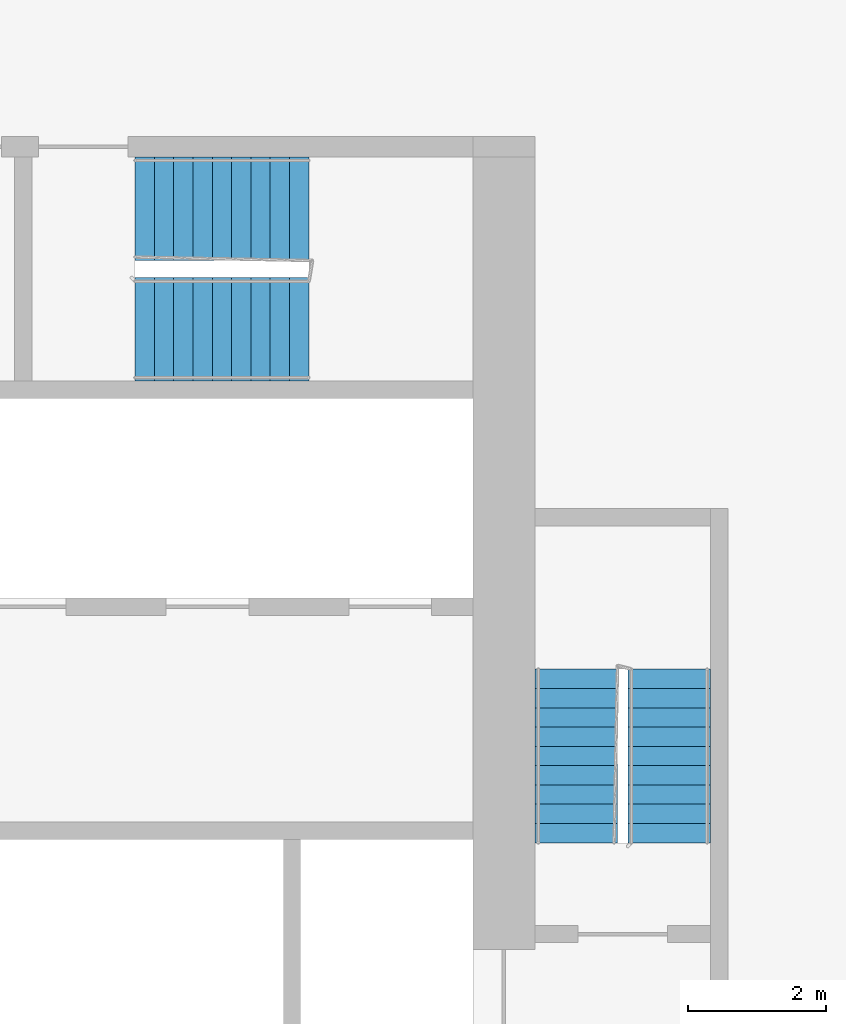
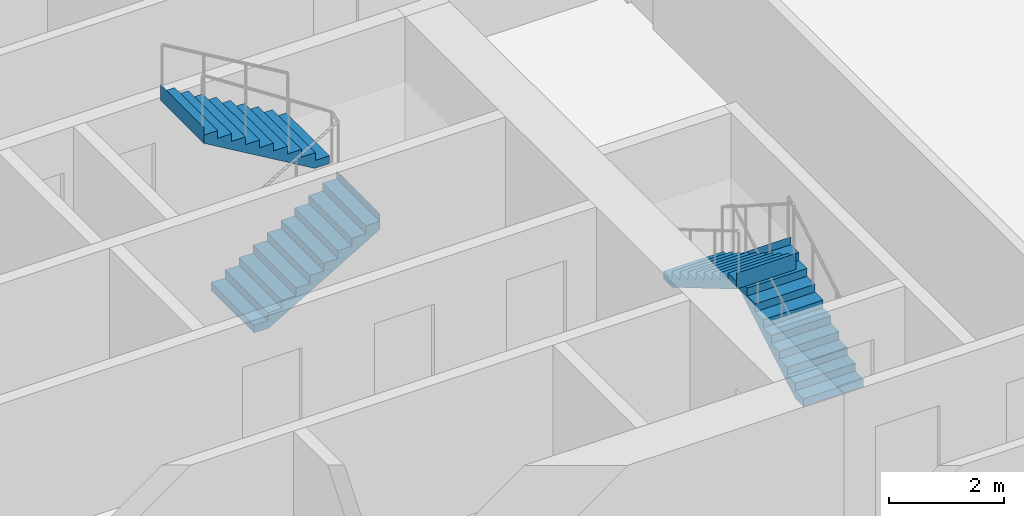
# One storey, part 11 of 13: 4 stair flights, 2 elements without a shape of their own.
"""IFC4 building model written with IfcOpenShell, lengths in metres."""

from ifc_helpers import new_model, si_unit, direction, frame, origin, place, context, subcontext, project, spatial, faceted_brep, material, type_object, element, aggregate, save


model = new_model("IFC4")

# Units and contexts
model_context = context("Model", 3, precision=1e-05, world=origin(), true_north=direction((0.0, 1.0)))
body_context = subcontext(model_context, "Body", "Model", "MODEL_VIEW")
ifc_project = project(units=[si_unit("LENGTHUNIT", "METRE"), si_unit("AREAUNIT", "SQUARE_METRE"), si_unit("VOLUMEUNIT", "CUBIC_METRE"), si_unit("PLANEANGLEUNIT", "RADIAN"), si_unit("MASSUNIT", "GRAM", prefix="KILO")], contexts=[model_context])

# Site, building, storey
site_placement = place(None, origin())
site = spatial("IfcSite", under=ifc_project, at=site_placement, CompositionType="ELEMENT")
building_placement = place(site_placement, origin())
building = spatial("IfcBuilding", under=site, at=building_placement, Name="Kajstack Hotel Tower", CompositionType="ELEMENT")
storey_placement = place(building_placement, frame((0.0, 0.0, 79.800048828125)))
storey = spatial("IfcBuildingStorey", under=building, at=storey_placement, Name="L15", CompositionType="ELEMENT", Elevation=79.800048828125)

# Stair, stair flights
ifc_material = material(Name="Concrete C40/50", Category="concrete")
stair_type_1 = type_object("IfcStairType", Name="Exit stair 1200", PredefinedType="HALF_TURN_STAIR", material=ifc_material)
stair_1_placement = place(storey_placement, origin())
stair_1 = element("IfcStair", 1, at=stair_1_placement, inside=storey, type_object=stair_type_1, Name="L15 stair E1", PredefinedType="HALF_TURN_STAIR")
stair_flight_type_1 = type_object("IfcStairFlightType", Name="Exit stair flight 1200", PredefinedType="STRAIGHT", material=ifc_material)
stair_flight_1_placement = place(storey_placement, frame((33.449951171875, 5.25, 0.0), z_axis=(0.0, 0.0, 1.0), x_axis=(0.0, 1.0, 0.0)))
stair_flight_1 = element("IfcStairFlight", 2, at=stair_flight_1_placement, type_object=stair_flight_type_1, Name="E1 flight 1", NumberOfRisers=10, NumberOfTreads=9, PredefinedType="STRAIGHT", RiserHeight=0.165, TreadLength=0.28, context=body_context, shape_type="Brep", body=[
    faceted_brep([(0.295654296875, -0.60009765625, 0.0), (2.5205078125, -0.60009765625, 1.31103515625), (2.5205078125, -0.60009765625, 1.64990234375), (2.52001953125, -0.60009765625, 1.64990234375), (2.52001953125, -0.60009765625, 1.485107421875), (2.239990234375, -0.60009765625, 1.485107421875), (2.239990234375, -0.60009765625, 1.320068359375), (1.9599609375, -0.60009765625, 1.320068359375), (1.9599609375, -0.60009765625, 1.155029296875), (1.679931640625, -0.60009765625, 1.155029296875), (1.679931640625, -0.60009765625, 0.989990234375), (1.39990234375, -0.60009765625, 0.989990234375), (1.39990234375, -0.60009765625, 0.824951171875), (1.1201171875, -0.60009765625, 0.824951171875), (1.1201171875, -0.60009765625, 0.659912109375), (0.840087890625, -0.60009765625, 0.659912109375), (0.840087890625, -0.60009765625, 0.4951171875), (0.56005859375, -0.60009765625, 0.4951171875), (0.56005859375, -0.60009765625, 0.330078125), (0.280029296875, -0.60009765625, 0.330078125), (0.280029296875, -0.60009765625, 0.1650390625), (-0.00048828125, -0.60009765625, 0.1650390625), (-0.00048828125, -0.60009765625, 0.0), (-0.00048828125, 0.60009765625, 0.0), (-0.00048828125, 0.60009765625, 0.1650390625), (0.280029296875, 0.60009765625, 0.1650390625), (0.280029296875, 0.60009765625, 0.330078125), (0.56005859375, 0.60009765625, 0.330078125), (0.56005859375, 0.60009765625, 0.4951171875), (0.840087890625, 0.60009765625, 0.4951171875), (0.840087890625, 0.60009765625, 0.659912109375), (1.1201171875, 0.60009765625, 0.659912109375), (1.1201171875, 0.60009765625, 0.824951171875), (1.39990234375, 0.60009765625, 0.824951171875), (1.39990234375, 0.60009765625, 0.989990234375), (1.679931640625, 0.60009765625, 0.989990234375), (1.679931640625, 0.60009765625, 1.155029296875), (1.9599609375, 0.60009765625, 1.155029296875), (1.9599609375, 0.60009765625, 1.320068359375), (2.239990234375, 0.60009765625, 1.320068359375), (2.239990234375, 0.60009765625, 1.485107421875), (2.52001953125, 0.60009765625, 1.485107421875), (2.52001953125, 0.60009765625, 1.64990234375), (2.5205078125, 0.60009765625, 1.64990234375), (2.5205078125, 0.60009765625, 1.31103515625), (0.295654296875, 0.60009765625, 0.0), (-0.00048828125, -0.300048828125, 0.1650390625), (-0.00048828125, 0.0, 0.1650390625), (-0.00048828125, 0.300048828125, 0.1650390625), (-0.00048828125, 0.300048828125, 0.0), (-0.00048828125, 0.0, 0.0), (-0.00048828125, -0.300048828125, 0.0), (0.280029296875, -0.300048828125, 0.1650390625), (0.280029296875, 0.0, 0.1650390625), (0.280029296875, 0.300048828125, 0.1650390625), (0.280029296875, -0.300048828125, 0.330078125), (0.280029296875, 0.0, 0.330078125), (0.280029296875, 0.300048828125, 0.330078125), (0.56005859375, -0.300048828125, 0.330078125), (0.56005859375, 0.0, 0.330078125), (0.56005859375, 0.300048828125, 0.330078125), (0.56005859375, -0.300048828125, 0.4951171875), (0.56005859375, 0.0, 0.4951171875), (0.56005859375, 0.300048828125, 0.4951171875), (0.840087890625, -0.300048828125, 0.4951171875), (0.840087890625, 0.0, 0.4951171875), (0.840087890625, 0.300048828125, 0.4951171875), (0.840087890625, -0.300048828125, 0.659912109375), (0.840087890625, 0.0, 0.659912109375), (0.840087890625, 0.300048828125, 0.659912109375), (1.1201171875, -0.300048828125, 0.659912109375), (1.1201171875, 0.0, 0.659912109375), (1.1201171875, 0.300048828125, 0.659912109375), (1.1201171875, -0.300048828125, 0.824951171875), (1.1201171875, 0.0, 0.824951171875), (1.1201171875, 0.300048828125, 0.824951171875), (1.39990234375, -0.300048828125, 0.824951171875), (1.39990234375, 0.0, 0.824951171875), (1.39990234375, 0.300048828125, 0.824951171875), (1.39990234375, -0.300048828125, 0.989990234375), (1.39990234375, 0.0, 0.989990234375), (1.39990234375, 0.300048828125, 0.989990234375), (1.679931640625, -0.300048828125, 0.989990234375), (1.679931640625, 0.0, 0.989990234375), (1.679931640625, 0.300048828125, 0.989990234375), (1.679931640625, -0.300048828125, 1.155029296875), (1.679931640625, 0.0, 1.155029296875), (1.679931640625, 0.300048828125, 1.155029296875), (1.9599609375, -0.300048828125, 1.155029296875), (1.9599609375, 0.0, 1.155029296875), (1.9599609375, 0.300048828125, 1.155029296875), (1.9599609375, -0.300048828125, 1.320068359375), (1.9599609375, 0.0, 1.320068359375), (1.9599609375, 0.300048828125, 1.320068359375), (2.239990234375, -0.300048828125, 1.320068359375), (2.239990234375, 0.0, 1.320068359375), (2.239990234375, 0.300048828125, 1.320068359375), (2.239990234375, -0.300048828125, 1.485107421875), (2.239990234375, 0.0, 1.485107421875), (2.239990234375, 0.300048828125, 1.485107421875), (2.52001953125, -0.300048828125, 1.485107421875), (2.52001953125, 0.0, 1.485107421875), (2.52001953125, 0.300048828125, 1.485107421875), (2.52001953125, -0.300048828125, 1.64990234375), (2.52001953125, 0.0, 1.64990234375), (2.52001953125, 0.300048828125, 1.64990234375), (2.5205078125, -0.300048828125, 1.64990234375), (2.5205078125, 0.0, 1.64990234375), (2.5205078125, 0.300048828125, 1.64990234375), (2.5205078125, -0.300048828125, 1.31103515625), (2.5205078125, 0.0, 1.31103515625), (2.5205078125, 0.300048828125, 1.31103515625), (0.295654296875, -0.300048828125, 0.0), (0.295654296875, 0.0, 0.0), (0.295654296875, 0.300048828125, 0.0)], [[[0, 1, 2, 3, 4, 5, 6, 7, 8, 9, 10, 11, 12, 13, 14, 15, 16, 17, 18, 19, 20, 21, 22]], [[23, 24, 25, 26, 27, 28, 29, 30, 31, 32, 33, 34, 35, 36, 37, 38, 39, 40, 41, 42, 43, 44, 45]], [[21, 46, 47, 48, 24, 23, 49, 50, 51, 22]], [[20, 52, 53, 54, 25, 24, 48, 47, 46, 21]], [[19, 55, 56, 57, 26, 25, 54, 53, 52, 20]], [[18, 58, 59, 60, 27, 26, 57, 56, 55, 19]], [[17, 61, 62, 63, 28, 27, 60, 59, 58, 18]], [[16, 64, 65, 66, 29, 28, 63, 62, 61, 17]], [[15, 67, 68, 69, 30, 29, 66, 65, 64, 16]], [[14, 70, 71, 72, 31, 30, 69, 68, 67, 15]], [[13, 73, 74, 75, 32, 31, 72, 71, 70, 14]], [[12, 76, 77, 78, 33, 32, 75, 74, 73, 13]], [[11, 79, 80, 81, 34, 33, 78, 77, 76, 12]], [[10, 82, 83, 84, 35, 34, 81, 80, 79, 11]], [[9, 85, 86, 87, 36, 35, 84, 83, 82, 10]], [[8, 88, 89, 90, 37, 36, 87, 86, 85, 9]], [[7, 91, 92, 93, 38, 37, 90, 89, 88, 8]], [[6, 94, 95, 96, 39, 38, 93, 92, 91, 7]], [[5, 97, 98, 99, 40, 39, 96, 95, 94, 6]], [[4, 100, 101, 102, 41, 40, 99, 98, 97, 5]], [[3, 103, 104, 105, 42, 41, 102, 101, 100, 4]], [[2, 106, 107, 108, 43, 42, 105, 104, 103, 3]], [[1, 109, 110, 111, 44, 43, 108, 107, 106, 2]], [[0, 112, 113, 114, 45, 44, 111, 110, 109, 1]], [[22, 51, 50, 49, 23, 45, 114, 113, 112, 0]]]),
])
stair_flight_2_placement = place(storey_placement, frame((32.10009765625, 7.77001953125, 1.64990234375), z_axis=(0.0, 0.0, 1.0), x_axis=(0.0, -1.0, 0.0)))
stair_flight_2 = element("IfcStairFlight", 3, at=stair_flight_2_placement, type_object=stair_flight_type_1, Name="E1 flight 2", NumberOfRisers=10, NumberOfTreads=9, PredefinedType="STRAIGHT", RiserHeight=0.165, TreadLength=0.28, context=body_context, shape_type="Brep", body=[
    faceted_brep([(0.295654296875, -0.60009765625, 0.0), (2.5205078125, -0.60009765625, 1.31103515625), (2.5205078125, -0.60009765625, 1.64990234375), (2.52001953125, -0.60009765625, 1.64990234375), (2.52001953125, -0.60009765625, 1.485107421875), (2.239990234375, -0.60009765625, 1.485107421875), (2.239990234375, -0.60009765625, 1.320068359375), (1.9599609375, -0.60009765625, 1.320068359375), (1.9599609375, -0.60009765625, 1.155029296875), (1.679931640625, -0.60009765625, 1.155029296875), (1.679931640625, -0.60009765625, 0.989990234375), (1.39990234375, -0.60009765625, 0.989990234375), (1.39990234375, -0.60009765625, 0.824951171875), (1.1201171875, -0.60009765625, 0.824951171875), (1.1201171875, -0.60009765625, 0.659912109375), (0.840087890625, -0.60009765625, 0.659912109375), (0.840087890625, -0.60009765625, 0.4951171875), (0.56005859375, -0.60009765625, 0.4951171875), (0.56005859375, -0.60009765625, 0.330078125), (0.280029296875, -0.60009765625, 0.330078125), (0.280029296875, -0.60009765625, 0.1650390625), (-0.00048828125, -0.60009765625, 0.1650390625), (-0.00048828125, -0.60009765625, 0.0), (-0.00048828125, 0.60009765625, 0.0), (-0.00048828125, 0.60009765625, 0.1650390625), (0.280029296875, 0.60009765625, 0.1650390625), (0.280029296875, 0.60009765625, 0.330078125), (0.56005859375, 0.60009765625, 0.330078125), (0.56005859375, 0.60009765625, 0.4951171875), (0.840087890625, 0.60009765625, 0.4951171875), (0.840087890625, 0.60009765625, 0.659912109375), (1.1201171875, 0.60009765625, 0.659912109375), (1.1201171875, 0.60009765625, 0.824951171875), (1.39990234375, 0.60009765625, 0.824951171875), (1.39990234375, 0.60009765625, 0.989990234375), (1.679931640625, 0.60009765625, 0.989990234375), (1.679931640625, 0.60009765625, 1.155029296875), (1.9599609375, 0.60009765625, 1.155029296875), (1.9599609375, 0.60009765625, 1.320068359375), (2.239990234375, 0.60009765625, 1.320068359375), (2.239990234375, 0.60009765625, 1.485107421875), (2.52001953125, 0.60009765625, 1.485107421875), (2.52001953125, 0.60009765625, 1.64990234375), (2.5205078125, 0.60009765625, 1.64990234375), (2.5205078125, 0.60009765625, 1.31103515625), (0.295654296875, 0.60009765625, 0.0), (-0.00048828125, -0.300048828125, 0.1650390625), (-0.00048828125, 0.0, 0.1650390625), (-0.00048828125, 0.300048828125, 0.1650390625), (-0.00048828125, 0.300048828125, 0.0), (-0.00048828125, 0.0, 0.0), (-0.00048828125, -0.300048828125, 0.0), (0.280029296875, -0.300048828125, 0.1650390625), (0.280029296875, 0.0, 0.1650390625), (0.280029296875, 0.300048828125, 0.1650390625), (0.280029296875, -0.300048828125, 0.330078125), (0.280029296875, 0.0, 0.330078125), (0.280029296875, 0.300048828125, 0.330078125), (0.56005859375, -0.300048828125, 0.330078125), (0.56005859375, 0.0, 0.330078125), (0.56005859375, 0.300048828125, 0.330078125), (0.56005859375, -0.300048828125, 0.4951171875), (0.56005859375, 0.0, 0.4951171875), (0.56005859375, 0.300048828125, 0.4951171875), (0.840087890625, -0.300048828125, 0.4951171875), (0.840087890625, 0.0, 0.4951171875), (0.840087890625, 0.300048828125, 0.4951171875), (0.840087890625, -0.300048828125, 0.659912109375), (0.840087890625, 0.0, 0.659912109375), (0.840087890625, 0.300048828125, 0.659912109375), (1.1201171875, -0.300048828125, 0.659912109375), (1.1201171875, 0.0, 0.659912109375), (1.1201171875, 0.300048828125, 0.659912109375), (1.1201171875, -0.300048828125, 0.824951171875), (1.1201171875, 0.0, 0.824951171875), (1.1201171875, 0.300048828125, 0.824951171875), (1.39990234375, -0.300048828125, 0.824951171875), (1.39990234375, 0.0, 0.824951171875), (1.39990234375, 0.300048828125, 0.824951171875), (1.39990234375, -0.300048828125, 0.989990234375), (1.39990234375, 0.0, 0.989990234375), (1.39990234375, 0.300048828125, 0.989990234375), (1.679931640625, -0.300048828125, 0.989990234375), (1.679931640625, 0.0, 0.989990234375), (1.679931640625, 0.300048828125, 0.989990234375), (1.679931640625, -0.300048828125, 1.155029296875), (1.679931640625, 0.0, 1.155029296875), (1.679931640625, 0.300048828125, 1.155029296875), (1.9599609375, -0.300048828125, 1.155029296875), (1.9599609375, 0.0, 1.155029296875), (1.9599609375, 0.300048828125, 1.155029296875), (1.9599609375, -0.300048828125, 1.320068359375), (1.9599609375, 0.0, 1.320068359375), (1.9599609375, 0.300048828125, 1.320068359375), (2.239990234375, -0.300048828125, 1.320068359375), (2.239990234375, 0.0, 1.320068359375), (2.239990234375, 0.300048828125, 1.320068359375), (2.239990234375, -0.300048828125, 1.485107421875), (2.239990234375, 0.0, 1.485107421875), (2.239990234375, 0.300048828125, 1.485107421875), (2.52001953125, -0.300048828125, 1.485107421875), (2.52001953125, 0.0, 1.485107421875), (2.52001953125, 0.300048828125, 1.485107421875), (2.52001953125, -0.300048828125, 1.64990234375), (2.52001953125, 0.0, 1.64990234375), (2.52001953125, 0.300048828125, 1.64990234375), (2.5205078125, -0.300048828125, 1.64990234375), (2.5205078125, 0.0, 1.64990234375), (2.5205078125, 0.300048828125, 1.64990234375), (2.5205078125, -0.300048828125, 1.31103515625), (2.5205078125, 0.0, 1.31103515625), (2.5205078125, 0.300048828125, 1.31103515625), (0.295654296875, -0.300048828125, 0.0), (0.295654296875, 0.0, 0.0), (0.295654296875, 0.300048828125, 0.0)], [[[0, 1, 2, 3, 4, 5, 6, 7, 8, 9, 10, 11, 12, 13, 14, 15, 16, 17, 18, 19, 20, 21, 22]], [[23, 24, 25, 26, 27, 28, 29, 30, 31, 32, 33, 34, 35, 36, 37, 38, 39, 40, 41, 42, 43, 44, 45]], [[21, 46, 47, 48, 24, 23, 49, 50, 51, 22]], [[20, 52, 53, 54, 25, 24, 48, 47, 46, 21]], [[19, 55, 56, 57, 26, 25, 54, 53, 52, 20]], [[18, 58, 59, 60, 27, 26, 57, 56, 55, 19]], [[17, 61, 62, 63, 28, 27, 60, 59, 58, 18]], [[16, 64, 65, 66, 29, 28, 63, 62, 61, 17]], [[15, 67, 68, 69, 30, 29, 66, 65, 64, 16]], [[14, 70, 71, 72, 31, 30, 69, 68, 67, 15]], [[13, 73, 74, 75, 32, 31, 72, 71, 70, 14]], [[12, 76, 77, 78, 33, 32, 75, 74, 73, 13]], [[11, 79, 80, 81, 34, 33, 78, 77, 76, 12]], [[10, 82, 83, 84, 35, 34, 81, 80, 79, 11]], [[9, 85, 86, 87, 36, 35, 84, 83, 82, 10]], [[8, 88, 89, 90, 37, 36, 87, 86, 85, 9]], [[7, 91, 92, 93, 38, 37, 90, 89, 88, 8]], [[6, 94, 95, 96, 39, 38, 93, 92, 91, 7]], [[5, 97, 98, 99, 40, 39, 96, 95, 94, 6]], [[4, 100, 101, 102, 41, 40, 99, 98, 97, 5]], [[3, 103, 104, 105, 42, 41, 102, 101, 100, 4]], [[2, 106, 107, 108, 43, 42, 105, 104, 103, 3]], [[1, 109, 110, 111, 44, 43, 108, 107, 106, 2]], [[0, 112, 113, 114, 45, 44, 111, 110, 109, 1]], [[22, 51, 50, 49, 23, 45, 114, 113, 112, 0]]]),
])
aggregate(stair_1, [stair_flight_1, stair_flight_2])

stair_type_2 = type_object("IfcStairType", Name="Exit stair 1500", PredefinedType="HALF_TURN_STAIR", material=ifc_material)
stair_2_placement = place(storey_placement, origin())
stair_2 = element("IfcStair", 4, at=stair_2_placement, inside=storey, type_object=stair_type_2, Name="L15 stair E3", PredefinedType="HALF_TURN_STAIR")
stair_flight_type_2 = type_object("IfcStairFlightType", Name="Exit stair flight 1500", PredefinedType="STRAIGHT", material=ifc_material)
stair_flight_3_placement = place(storey_placement, frame((25.699951171875, 12.699951171875, 0.0), z_axis=(0.0, 0.0, 1.0), x_axis=(1.0, 0.0, 0.0)))
stair_flight_3 = element("IfcStairFlight", 5, at=stair_flight_3_placement, type_object=stair_flight_type_2, Name="E3 flight 1", NumberOfRisers=10, NumberOfTreads=9, PredefinedType="STRAIGHT", RiserHeight=0.165, TreadLength=0.28, context=body_context, shape_type="Brep", body=[
    faceted_brep([(0.295654296875, -0.75, 0.0), (2.5205078125, -0.75, 1.31103515625), (2.5205078125, -0.75, 1.64990234375), (2.52001953125, -0.75, 1.64990234375), (2.52001953125, -0.75, 1.485107421875), (2.239990234375, -0.75, 1.485107421875), (2.239990234375, -0.75, 1.320068359375), (1.9599609375, -0.75, 1.320068359375), (1.9599609375, -0.75, 1.155029296875), (1.679931640625, -0.75, 1.155029296875), (1.679931640625, -0.75, 0.989990234375), (1.39990234375, -0.75, 0.989990234375), (1.39990234375, -0.75, 0.824951171875), (1.1201171875, -0.75, 0.824951171875), (1.1201171875, -0.75, 0.659912109375), (0.840087890625, -0.75, 0.659912109375), (0.840087890625, -0.75, 0.4951171875), (0.56005859375, -0.75, 0.4951171875), (0.56005859375, -0.75, 0.330078125), (0.280029296875, -0.75, 0.330078125), (0.280029296875, -0.75, 0.1650390625), (-0.00048828125, -0.75, 0.1650390625), (-0.00048828125, -0.75, 0.0), (-0.00048828125, 0.75, 0.0), (-0.00048828125, 0.75, 0.1650390625), (0.280029296875, 0.75, 0.1650390625), (0.280029296875, 0.75, 0.330078125), (0.56005859375, 0.75, 0.330078125), (0.56005859375, 0.75, 0.4951171875), (0.840087890625, 0.75, 0.4951171875), (0.840087890625, 0.75, 0.659912109375), (1.1201171875, 0.75, 0.659912109375), (1.1201171875, 0.75, 0.824951171875), (1.39990234375, 0.75, 0.824951171875), (1.39990234375, 0.75, 0.989990234375), (1.679931640625, 0.75, 0.989990234375), (1.679931640625, 0.75, 1.155029296875), (1.9599609375, 0.75, 1.155029296875), (1.9599609375, 0.75, 1.320068359375), (2.239990234375, 0.75, 1.320068359375), (2.239990234375, 0.75, 1.485107421875), (2.52001953125, 0.75, 1.485107421875), (2.52001953125, 0.75, 1.64990234375), (2.5205078125, 0.75, 1.64990234375), (2.5205078125, 0.75, 1.31103515625), (0.295654296875, 0.75, 0.0), (-0.00048828125, -0.375, 0.1650390625), (-0.00048828125, 0.0, 0.1650390625), (-0.00048828125, 0.375, 0.1650390625), (-0.00048828125, 0.375, 0.0), (-0.00048828125, 0.0, 0.0), (-0.00048828125, -0.375, 0.0), (0.280029296875, -0.375, 0.1650390625), (0.280029296875, 0.0, 0.1650390625), (0.280029296875, 0.375, 0.1650390625), (0.280029296875, -0.375, 0.330078125), (0.280029296875, 0.0, 0.330078125), (0.280029296875, 0.375, 0.330078125), (0.56005859375, -0.375, 0.330078125), (0.56005859375, 0.0, 0.330078125), (0.56005859375, 0.375, 0.330078125), (0.56005859375, -0.375, 0.4951171875), (0.56005859375, 0.0, 0.4951171875), (0.56005859375, 0.375, 0.4951171875), (0.840087890625, -0.375, 0.4951171875), (0.840087890625, 0.0, 0.4951171875), (0.840087890625, 0.375, 0.4951171875), (0.840087890625, -0.375, 0.659912109375), (0.840087890625, 0.0, 0.659912109375), (0.840087890625, 0.375, 0.659912109375), (1.1201171875, -0.375, 0.659912109375), (1.1201171875, 0.0, 0.659912109375), (1.1201171875, 0.375, 0.659912109375), (1.1201171875, -0.375, 0.824951171875), (1.1201171875, 0.0, 0.824951171875), (1.1201171875, 0.375, 0.824951171875), (1.39990234375, -0.375, 0.824951171875), (1.39990234375, 0.0, 0.824951171875), (1.39990234375, 0.375, 0.824951171875), (1.39990234375, -0.375, 0.989990234375), (1.39990234375, 0.0, 0.989990234375), (1.39990234375, 0.375, 0.989990234375), (1.679931640625, -0.375, 0.989990234375), (1.679931640625, 0.0, 0.989990234375), (1.679931640625, 0.375, 0.989990234375), (1.679931640625, -0.375, 1.155029296875), (1.679931640625, 0.0, 1.155029296875), (1.679931640625, 0.375, 1.155029296875), (1.9599609375, -0.375, 1.155029296875), (1.9599609375, 0.0, 1.155029296875), (1.9599609375, 0.375, 1.155029296875), (1.9599609375, -0.375, 1.320068359375), (1.9599609375, 0.0, 1.320068359375), (1.9599609375, 0.375, 1.320068359375), (2.239990234375, -0.375, 1.320068359375), (2.239990234375, 0.0, 1.320068359375), (2.239990234375, 0.375, 1.320068359375), (2.239990234375, -0.375, 1.485107421875), (2.239990234375, 0.0, 1.485107421875), (2.239990234375, 0.375, 1.485107421875), (2.52001953125, -0.375, 1.485107421875), (2.52001953125, 0.0, 1.485107421875), (2.52001953125, 0.375, 1.485107421875), (2.52001953125, -0.375, 1.64990234375), (2.52001953125, 0.0, 1.64990234375), (2.52001953125, 0.375, 1.64990234375), (2.5205078125, -0.375, 1.64990234375), (2.5205078125, 0.0, 1.64990234375), (2.5205078125, 0.375, 1.64990234375), (2.5205078125, -0.375, 1.31103515625), (2.5205078125, 0.0, 1.31103515625), (2.5205078125, 0.375, 1.31103515625), (0.295654296875, -0.375, 0.0), (0.295654296875, 0.0, 0.0), (0.295654296875, 0.375, 0.0)], [[[0, 1, 2, 3, 4, 5, 6, 7, 8, 9, 10, 11, 12, 13, 14, 15, 16, 17, 18, 19, 20, 21, 22]], [[23, 24, 25, 26, 27, 28, 29, 30, 31, 32, 33, 34, 35, 36, 37, 38, 39, 40, 41, 42, 43, 44, 45]], [[21, 46, 47, 48, 24, 23, 49, 50, 51, 22]], [[20, 52, 53, 54, 25, 24, 48, 47, 46, 21]], [[19, 55, 56, 57, 26, 25, 54, 53, 52, 20]], [[18, 58, 59, 60, 27, 26, 57, 56, 55, 19]], [[17, 61, 62, 63, 28, 27, 60, 59, 58, 18]], [[16, 64, 65, 66, 29, 28, 63, 62, 61, 17]], [[15, 67, 68, 69, 30, 29, 66, 65, 64, 16]], [[14, 70, 71, 72, 31, 30, 69, 68, 67, 15]], [[13, 73, 74, 75, 32, 31, 72, 71, 70, 14]], [[12, 76, 77, 78, 33, 32, 75, 74, 73, 13]], [[11, 79, 80, 81, 34, 33, 78, 77, 76, 12]], [[10, 82, 83, 84, 35, 34, 81, 80, 79, 11]], [[9, 85, 86, 87, 36, 35, 84, 83, 82, 10]], [[8, 88, 89, 90, 37, 36, 87, 86, 85, 9]], [[7, 91, 92, 93, 38, 37, 90, 89, 88, 8]], [[6, 94, 95, 96, 39, 38, 93, 92, 91, 7]], [[5, 97, 98, 99, 40, 39, 96, 95, 94, 6]], [[4, 100, 101, 102, 41, 40, 99, 98, 97, 5]], [[3, 103, 104, 105, 42, 41, 102, 101, 100, 4]], [[2, 106, 107, 108, 43, 42, 105, 104, 103, 3]], [[1, 109, 110, 111, 44, 43, 108, 107, 106, 2]], [[0, 112, 113, 114, 45, 44, 111, 110, 109, 1]], [[22, 51, 50, 49, 23, 45, 114, 113, 112, 0]]]),
])
stair_flight_4_placement = place(storey_placement, frame((28.219970703125, 14.449951171875, 1.64990234375), z_axis=(0.0, 0.0, 1.0), x_axis=(-1.0, 0.0, 0.0)))
stair_flight_4 = element("IfcStairFlight", 6, at=stair_flight_4_placement, type_object=stair_flight_type_2, Name="E3 flight 2", NumberOfRisers=10, NumberOfTreads=9, PredefinedType="STRAIGHT", RiserHeight=0.165, TreadLength=0.28, context=body_context, shape_type="Brep", body=[
    faceted_brep([(0.295654296875, -0.75, 0.0), (2.5205078125, -0.75, 1.31103515625), (2.5205078125, -0.75, 1.64990234375), (2.52001953125, -0.75, 1.64990234375), (2.52001953125, -0.75, 1.485107421875), (2.239990234375, -0.75, 1.485107421875), (2.239990234375, -0.75, 1.320068359375), (1.9599609375, -0.75, 1.320068359375), (1.9599609375, -0.75, 1.155029296875), (1.679931640625, -0.75, 1.155029296875), (1.679931640625, -0.75, 0.989990234375), (1.39990234375, -0.75, 0.989990234375), (1.39990234375, -0.75, 0.824951171875), (1.1201171875, -0.75, 0.824951171875), (1.1201171875, -0.75, 0.659912109375), (0.840087890625, -0.75, 0.659912109375), (0.840087890625, -0.75, 0.4951171875), (0.56005859375, -0.75, 0.4951171875), (0.56005859375, -0.75, 0.330078125), (0.280029296875, -0.75, 0.330078125), (0.280029296875, -0.75, 0.1650390625), (-0.00048828125, -0.75, 0.1650390625), (-0.00048828125, -0.75, 0.0), (-0.00048828125, 0.75, 0.0), (-0.00048828125, 0.75, 0.1650390625), (0.280029296875, 0.75, 0.1650390625), (0.280029296875, 0.75, 0.330078125), (0.56005859375, 0.75, 0.330078125), (0.56005859375, 0.75, 0.4951171875), (0.840087890625, 0.75, 0.4951171875), (0.840087890625, 0.75, 0.659912109375), (1.1201171875, 0.75, 0.659912109375), (1.1201171875, 0.75, 0.824951171875), (1.39990234375, 0.75, 0.824951171875), (1.39990234375, 0.75, 0.989990234375), (1.679931640625, 0.75, 0.989990234375), (1.679931640625, 0.75, 1.155029296875), (1.9599609375, 0.75, 1.155029296875), (1.9599609375, 0.75, 1.320068359375), (2.239990234375, 0.75, 1.320068359375), (2.239990234375, 0.75, 1.485107421875), (2.52001953125, 0.75, 1.485107421875), (2.52001953125, 0.75, 1.64990234375), (2.5205078125, 0.75, 1.64990234375), (2.5205078125, 0.75, 1.31103515625), (0.295654296875, 0.75, 0.0), (-0.00048828125, -0.375, 0.1650390625), (-0.00048828125, 0.0, 0.1650390625), (-0.00048828125, 0.375, 0.1650390625), (-0.00048828125, 0.375, 0.0), (-0.00048828125, 0.0, 0.0), (-0.00048828125, -0.375, 0.0), (0.280029296875, -0.375, 0.1650390625), (0.280029296875, 0.0, 0.1650390625), (0.280029296875, 0.375, 0.1650390625), (0.280029296875, -0.375, 0.330078125), (0.280029296875, 0.0, 0.330078125), (0.280029296875, 0.375, 0.330078125), (0.56005859375, -0.375, 0.330078125), (0.56005859375, 0.0, 0.330078125), (0.56005859375, 0.375, 0.330078125), (0.56005859375, -0.375, 0.4951171875), (0.56005859375, 0.0, 0.4951171875), (0.56005859375, 0.375, 0.4951171875), (0.840087890625, -0.375, 0.4951171875), (0.840087890625, 0.0, 0.4951171875), (0.840087890625, 0.375, 0.4951171875), (0.840087890625, -0.375, 0.659912109375), (0.840087890625, 0.0, 0.659912109375), (0.840087890625, 0.375, 0.659912109375), (1.1201171875, -0.375, 0.659912109375), (1.1201171875, 0.0, 0.659912109375), (1.1201171875, 0.375, 0.659912109375), (1.1201171875, -0.375, 0.824951171875), (1.1201171875, 0.0, 0.824951171875), (1.1201171875, 0.375, 0.824951171875), (1.39990234375, -0.375, 0.824951171875), (1.39990234375, 0.0, 0.824951171875), (1.39990234375, 0.375, 0.824951171875), (1.39990234375, -0.375, 0.989990234375), (1.39990234375, 0.0, 0.989990234375), (1.39990234375, 0.375, 0.989990234375), (1.679931640625, -0.375, 0.989990234375), (1.679931640625, 0.0, 0.989990234375), (1.679931640625, 0.375, 0.989990234375), (1.679931640625, -0.375, 1.155029296875), (1.679931640625, 0.0, 1.155029296875), (1.679931640625, 0.375, 1.155029296875), (1.9599609375, -0.375, 1.155029296875), (1.9599609375, 0.0, 1.155029296875), (1.9599609375, 0.375, 1.155029296875), (1.9599609375, -0.375, 1.320068359375), (1.9599609375, 0.0, 1.320068359375), (1.9599609375, 0.375, 1.320068359375), (2.239990234375, -0.375, 1.320068359375), (2.239990234375, 0.0, 1.320068359375), (2.239990234375, 0.375, 1.320068359375), (2.239990234375, -0.375, 1.485107421875), (2.239990234375, 0.0, 1.485107421875), (2.239990234375, 0.375, 1.485107421875), (2.52001953125, -0.375, 1.485107421875), (2.52001953125, 0.0, 1.485107421875), (2.52001953125, 0.375, 1.485107421875), (2.52001953125, -0.375, 1.64990234375), (2.52001953125, 0.0, 1.64990234375), (2.52001953125, 0.375, 1.64990234375), (2.5205078125, -0.375, 1.64990234375), (2.5205078125, 0.0, 1.64990234375), (2.5205078125, 0.375, 1.64990234375), (2.5205078125, -0.375, 1.31103515625), (2.5205078125, 0.0, 1.31103515625), (2.5205078125, 0.375, 1.31103515625), (0.295654296875, -0.375, 0.0), (0.295654296875, 0.0, 0.0), (0.295654296875, 0.375, 0.0)], [[[0, 1, 2, 3, 4, 5, 6, 7, 8, 9, 10, 11, 12, 13, 14, 15, 16, 17, 18, 19, 20, 21, 22]], [[23, 24, 25, 26, 27, 28, 29, 30, 31, 32, 33, 34, 35, 36, 37, 38, 39, 40, 41, 42, 43, 44, 45]], [[21, 46, 47, 48, 24, 23, 49, 50, 51, 22]], [[20, 52, 53, 54, 25, 24, 48, 47, 46, 21]], [[19, 55, 56, 57, 26, 25, 54, 53, 52, 20]], [[18, 58, 59, 60, 27, 26, 57, 56, 55, 19]], [[17, 61, 62, 63, 28, 27, 60, 59, 58, 18]], [[16, 64, 65, 66, 29, 28, 63, 62, 61, 17]], [[15, 67, 68, 69, 30, 29, 66, 65, 64, 16]], [[14, 70, 71, 72, 31, 30, 69, 68, 67, 15]], [[13, 73, 74, 75, 32, 31, 72, 71, 70, 14]], [[12, 76, 77, 78, 33, 32, 75, 74, 73, 13]], [[11, 79, 80, 81, 34, 33, 78, 77, 76, 12]], [[10, 82, 83, 84, 35, 34, 81, 80, 79, 11]], [[9, 85, 86, 87, 36, 35, 84, 83, 82, 10]], [[8, 88, 89, 90, 37, 36, 87, 86, 85, 9]], [[7, 91, 92, 93, 38, 37, 90, 89, 88, 8]], [[6, 94, 95, 96, 39, 38, 93, 92, 91, 7]], [[5, 97, 98, 99, 40, 39, 96, 95, 94, 6]], [[4, 100, 101, 102, 41, 40, 99, 98, 97, 5]], [[3, 103, 104, 105, 42, 41, 102, 101, 100, 4]], [[2, 106, 107, 108, 43, 42, 105, 104, 103, 3]], [[1, 109, 110, 111, 44, 43, 108, 107, 106, 2]], [[0, 112, 113, 114, 45, 44, 111, 110, 109, 1]], [[22, 51, 50, 49, 23, 45, 114, 113, 112, 0]]]),
])
aggregate(stair_2, [stair_flight_3, stair_flight_4])

save(model, "model.ifc")
